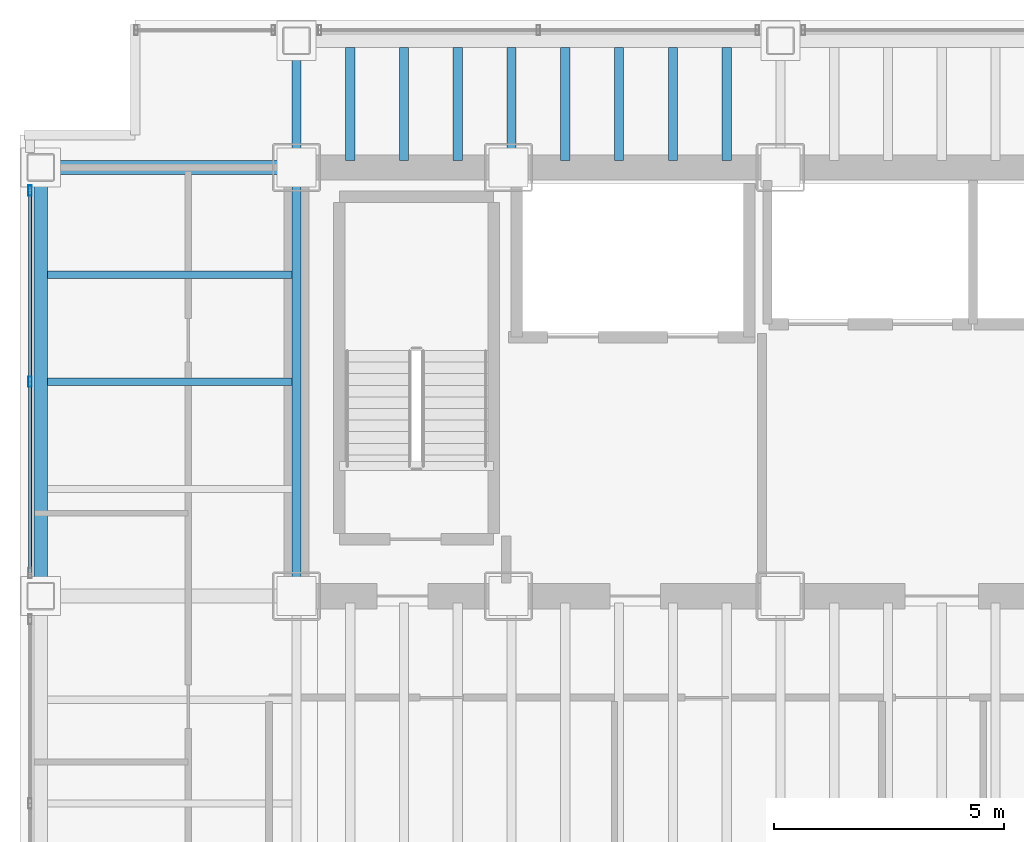
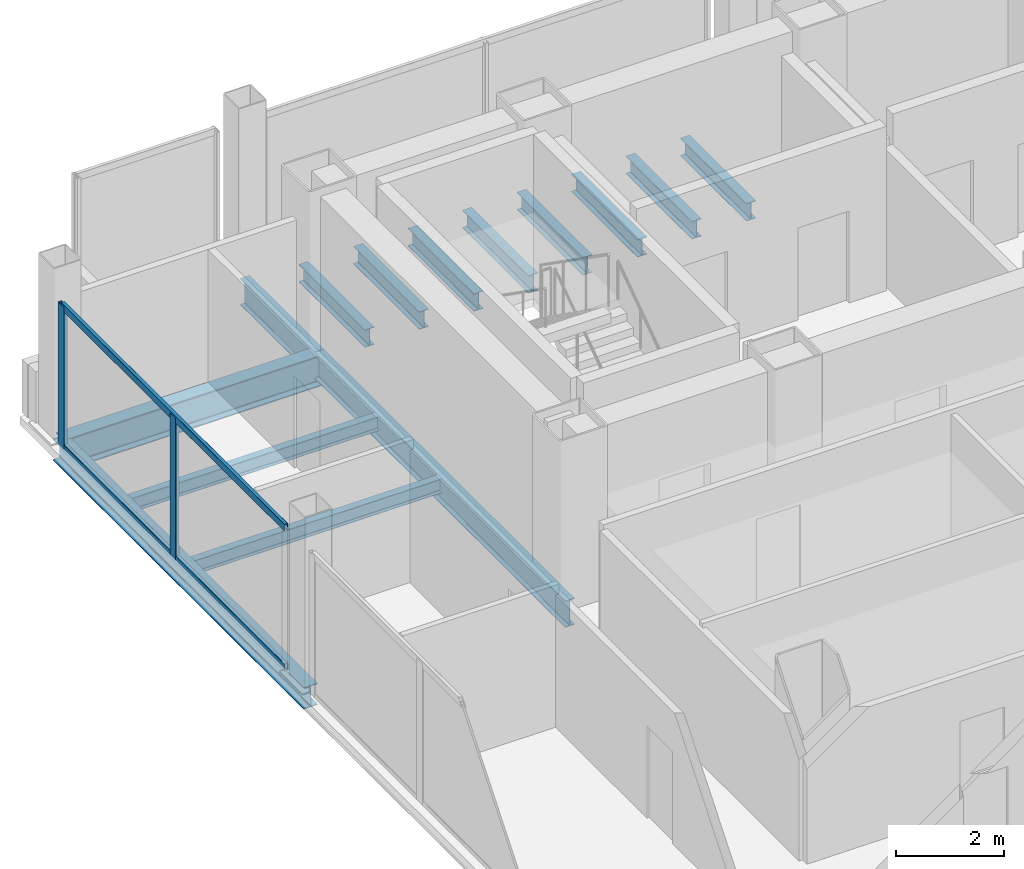
# One storey, part 7 of 22: 14 beams, 4 members, 1 element without a shape of its own.
"""IFC4 building model written with IfcOpenShell, lengths in metres."""

from ifc_helpers import new_model, si_unit, direction, frame, origin, origin_2d, place, context, subcontext, project, spatial, hollow_rectangle, i_section, extrude, material, material_profile, profile_set, type_object, element, aggregate, save


model = new_model("IFC4")

# Units and contexts
model_context = context("Model", 3, precision=1e-05, world=origin(), true_north=direction((0.0, 1.0)))
body_context = subcontext(model_context, "Body", "Model", "MODEL_VIEW")
ifc_project = project(units=[si_unit("LENGTHUNIT", "METRE"), si_unit("AREAUNIT", "SQUARE_METRE"), si_unit("VOLUMEUNIT", "CUBIC_METRE"), si_unit("PLANEANGLEUNIT", "RADIAN"), si_unit("MASSUNIT", "GRAM", prefix="KILO")], contexts=[model_context])

# Site, building, storey
site_placement = place(None, origin())
site = spatial("IfcSite", under=ifc_project, at=site_placement, CompositionType="ELEMENT")
building_placement = place(site_placement, origin())
building = spatial("IfcBuilding", under=site, at=building_placement, Name="Noeulbin Bourse Tower", CompositionType="ELEMENT")
storey_placement = place(building_placement, frame((0.0, 0.0, 85.0)))
storey = spatial("IfcBuildingStorey", under=building, at=storey_placement, Name="L21", CompositionType="ELEMENT", Elevation=85.0)

# Beams
ifc_material_1 = material(Name="Steel S355", Category="steel")
ifc_material_profile_1 = material_profile(ifc_material_1, i_section(OverallWidth=0.199951171875, OverallDepth=0.60009765625, WebThickness=0.010986328125, FlangeThickness=0.01708984375, FilletRadius=0.02197265625, at=origin_2d()), Name="H-600x200x11x17", Category="LoadBearing")
ifc_profile_set_1 = profile_set([ifc_material_profile_1], Name="Steel S355")
beam_type_1 = type_object("IfcBeamType", Name="BM-GRD-600", PredefinedType="USERDEFINED", material=ifc_profile_set_1)
beam_1_placement = place(storey_placement, frame((13.5, 29.0, -0.47998046875), z_axis=(0.0, 1.0, 0.0), x_axis=(-1.0, 0.0, 0.0)))
element("IfcBeam", 1, at=beam_1_placement, inside=storey, type_object=beam_type_1, Name="Tower Primary Girder NS L21-1.3", ObjectType="GIRDER", PredefinedType="USERDEFINED", context=body_context, shape_type="SweptSolid", body=[
    extrude(i_section(OverallWidth=0.199951171875, OverallDepth=0.60009765625, WebThickness=0.010986328125, FlangeThickness=0.01708984375, FilletRadius=0.02197265625, at=origin_2d()), origin(), (0.0, 0.0, 1.0), 9.300048828125),
])
beam_2_placement = place(storey_placement, frame((13.5, 38.300048828125, -0.47998046875), z_axis=(0.0, 1.0, 0.0), x_axis=(-1.0, 0.0, 0.0)))
element("IfcBeam", 2, at=beam_2_placement, inside=storey, type_object=beam_type_1, Name="Tower Primary Girder NS L21-1.4", ObjectType="GIRDER", PredefinedType="USERDEFINED", context=body_context, shape_type="SweptSolid", body=[
    extrude(i_section(OverallWidth=0.199951171875, OverallDepth=0.60009765625, WebThickness=0.010986328125, FlangeThickness=0.01708984375, FilletRadius=0.02197265625, at=origin_2d()), origin(), (0.0, 0.0, 1.0), 2.75),
])
ifc_material_profile_2 = material_profile(ifc_material_1, i_section(OverallWidth=0.300048828125, OverallDepth=0.699951171875, WebThickness=0.012939453125, FlangeThickness=0.02392578125, FilletRadius=0.02392578125, at=origin_2d()), Name="H-700x300x13x24", Category="LoadBearing")
ifc_profile_set_2 = profile_set([ifc_material_profile_2], Name="Steel S355")
beam_type_2 = type_object("IfcBeamType", Name="BM-GRD-700", PredefinedType="USERDEFINED", material=ifc_profile_set_2)
beam_3_placement = place(storey_placement, frame((7.949951171875, 38.300048828125, -0.530029296875), z_axis=(1.0, 0.0, 0.0), x_axis=(0.0, 1.0, 0.0)))
element("IfcBeam", 3, at=beam_3_placement, inside=storey, type_object=beam_type_2, Name="Tower Primary Girder EW L21-3.1", ObjectType="GIRDER", PredefinedType="USERDEFINED", context=body_context, shape_type="SweptSolid", body=[
    extrude(i_section(OverallWidth=0.300048828125, OverallDepth=0.699951171875, WebThickness=0.012939453125, FlangeThickness=0.02392578125, FilletRadius=0.02392578125, at=origin_2d()), origin(), (0.0, 0.0, 1.0), 5.550048828125),
])
ifc_material_profile_3 = material_profile(ifc_material_1, i_section(OverallWidth=0.159912109375, OverallDepth=0.320068359375, WebThickness=0.006591796875, FlangeThickness=0.010009765625, FilletRadius=0.012939453125, at=origin_2d()), Name="H-320x160x6.5x10", Category="LoadBearing")
ifc_profile_set_3 = profile_set([ifc_material_profile_3], Name="Steel S355")
beam_type_3 = type_object("IfcBeamType", Name="BM-JST-320", PredefinedType="JOIST", material=ifc_profile_set_3)
for number, where, z_axis, x_axis, name in (
    (4, (8.10009765625, 33.64990234375, -0.340087890625), (1.0, 0.0, 0.0), (0.0, 1.0, 0.0), "Wing Composite Joist L21-W74"),
    (5, (8.10009765625, 35.97509765625, -0.340087890625), (1.0, 0.0, 0.0), (0.0, 1.0, 0.0), "Wing Composite Joist L21-W75"),
):
    element("IfcBeam", number, at=place(storey_placement, frame(where, z_axis=z_axis, x_axis=x_axis)), inside=storey, type_object=beam_type_3, Name=name, PredefinedType="JOIST", context=body_context, shape_type="SweptSolid", body=[
        extrude(i_section(OverallWidth=0.159912109375, OverallDepth=0.320068359375, WebThickness=0.006591796875, FlangeThickness=0.010009765625, FilletRadius=0.012939453125, at=origin_2d()), origin(), (0.0, 0.0, 1.0), 5.2998046875),
    ])
ifc_material_profile_4 = material_profile(ifc_material_1, i_section(OverallWidth=0.199951171875, OverallDepth=0.39990234375, WebThickness=0.008056640625, FlangeThickness=0.012939453125, FilletRadius=0.01611328125, at=origin_2d()), Name="H-400x200x8x13", Category="LoadBearing")
ifc_profile_set_4 = profile_set([ifc_material_profile_4], Name="Steel S355")
beam_type_4 = type_object("IfcBeamType", Name="BM-SEC-400", PredefinedType="BEAM", material=ifc_profile_set_4)
for number, where, z_axis, x_axis, name in (
    (6, (14.666748046875, 38.449951171875, -0.3798828125), (0.0, 1.0, 0.0), (-1.0, 0.0, 0.0), "Tower Composite Joist L21-03"),
    (7, (15.833251953125, 38.449951171875, -0.3798828125), (0.0, 1.0, 0.0), (-1.0, 0.0, 0.0), "Tower Composite Joist L21-06"),
    (8, (17.0, 38.449951171875, -0.3798828125), (0.0, 1.0, 0.0), (-1.0, 0.0, 0.0), "Tower Composite Joist L21-09"),
    (9, (18.166748046875, 38.449951171875, -0.3798828125), (0.0, 1.0, 0.0), (-1.0, 0.0, 0.0), "Tower Composite Joist L21-12"),
    (10, (19.333251953125, 38.449951171875, -0.3798828125), (0.0, 1.0, 0.0), (-1.0, 0.0, 0.0), "Tower Composite Joist L21-15"),
    (11, (20.5, 38.449951171875, -0.3798828125), (0.0, 1.0, 0.0), (-1.0, 0.0, 0.0), "Tower Composite Joist L21-18"),
    (12, (21.666748046875, 38.449951171875, -0.3798828125), (0.0, 1.0, 0.0), (-1.0, 0.0, 0.0), "Tower Composite Joist L21-21"),
    (13, (22.833251953125, 38.449951171875, -0.3798828125), (0.0, 1.0, 0.0), (-1.0, 0.0, 0.0), "Tower Composite Joist L21-24"),
):
    element("IfcBeam", number, at=place(storey_placement, frame(where, z_axis=z_axis, x_axis=x_axis)), inside=storey, type_object=beam_type_4, Name=name, PredefinedType="BEAM", context=body_context, shape_type="SweptSolid", body=[
        extrude(i_section(OverallWidth=0.199951171875, OverallDepth=0.39990234375, WebThickness=0.008056640625, FlangeThickness=0.012939453125, FilletRadius=0.01611328125, at=origin_2d()), origin(), (0.0, 0.0, 1.0), 2.449951171875),
    ])
ifc_material_profile_5 = material_profile(ifc_material_1, i_section(OverallWidth=0.300048828125, OverallDepth=0.488037109375, WebThickness=0.010986328125, FlangeThickness=0.01806640625, FilletRadius=0.02197265625, at=origin_2d()), Name="H-488x300x11x18", Category="LoadBearing")
ifc_profile_set_5 = profile_set([ifc_material_profile_5], Name="Steel S355")
beam_type_5 = type_object("IfcBeamType", Name="BM-SPN-488", PredefinedType="SPANDREL", material=ifc_profile_set_5)
beam_4_placement = place(storey_placement, frame((7.949951171875, 29.0, -0.424072265625), z_axis=(0.0, 1.0, 0.0), x_axis=(-1.0, 0.0, 0.0)))
element("IfcBeam", 14, at=beam_4_placement, inside=storey, type_object=beam_type_5, Name="West Spandrel L21-2", PredefinedType="SPANDREL", context=body_context, shape_type="SweptSolid", body=[
    extrude(i_section(OverallWidth=0.300048828125, OverallDepth=0.488037109375, WebThickness=0.010986328125, FlangeThickness=0.01806640625, FilletRadius=0.02197265625, at=origin_2d()), origin(), (0.0, 0.0, 1.0), 9.300048828125),
])

# Curtain wall, members
ifc_material_2 = material(Name="Dark Solar-Control Double Glazing", Category="glass")
curtain_wall_type = type_object("IfcCurtainWallType", Name="CW-SYS-2", PredefinedType="NOTDEFINED", material=ifc_material_2)
curtain_wall_placement = place(storey_placement, origin())
curtain_wall = element("IfcCurtainWall", 15, at=curtain_wall_placement, inside=storey, type_object=curtain_wall_type, Name="Unitised Curtain Wall CW-L21-W-S3", PredefinedType="NOTDEFINED")
ifc_material_3 = material(Name="Anodised Aluminium 6063-T6", Category="aluminium")
ifc_material_profile_6 = material_profile(ifc_material_3, hollow_rectangle(XDim=0.074951171875, YDim=0.219970703125, WallThickness=0.0048828125, InnerFilletRadius=0.00244140625, OuterFilletRadius=0.0048828125, at=origin_2d()), Name="ALU-MULL-75x220x5", Category="LoadBearing")
ifc_profile_set_6 = profile_set([ifc_material_profile_6], Name="Anodised Aluminium 6063-T6")
member_type_1 = type_object("IfcMemberType", Name="CW-SYS-2-MUL", PredefinedType="MULLION", material=ifc_profile_set_6)
member_1_placement = place(storey_placement, frame((7.719970703125, 33.64990234375, -0.02001953125), z_axis=(0.0, 0.0, 1.0), x_axis=(1.0, 0.0, 0.0)))
member_1 = element("IfcMember", 16, at=member_1_placement, type_object=member_type_1, Name="Curtain Wall Mullion CW-L21-W-S3-M01", PredefinedType="MULLION", context=body_context, shape_type="SweptSolid", body=[
    extrude(hollow_rectangle(XDim=0.074951171875, YDim=0.219970703125, WallThickness=0.0048828125, InnerFilletRadius=0.00244140625, OuterFilletRadius=0.0048828125, at=origin_2d()), origin(), (0.0, 0.0, 1.0), 3.219970703125),
])
member_2_placement = place(storey_placement, frame((7.719970703125, 37.800048828125, -0.02001953125), z_axis=(0.0, 0.0, 1.0), x_axis=(1.0, 0.0, 0.0)))
member_2 = element("IfcMember", 17, at=member_2_placement, type_object=member_type_1, Name="Curtain Wall Mullion CW-L21-W-S3-M02", PredefinedType="MULLION", context=body_context, shape_type="SweptSolid", body=[
    extrude(hollow_rectangle(XDim=0.074951171875, YDim=0.219970703125, WallThickness=0.0048828125, InnerFilletRadius=0.00244140625, OuterFilletRadius=0.0048828125, at=origin_2d()), origin(), (0.0, 0.0, 1.0), 3.219970703125),
])
ifc_material_profile_7 = material_profile(ifc_material_3, hollow_rectangle(XDim=0.074951171875, YDim=0.159912109375, WallThickness=0.0048828125, InnerFilletRadius=0.00244140625, OuterFilletRadius=0.0048828125, at=origin_2d()), Name="ALU-TRAN-75x160x5", Category="LoadBearing")
ifc_profile_set_7 = profile_set([ifc_material_profile_7], Name="Anodised Aluminium 6063-T6")
member_type_2 = type_object("IfcMemberType", Name="CW-SYS-2-TRN", PredefinedType="USERDEFINED", material=ifc_profile_set_7)
member_3_placement = place(storey_placement, frame((7.719970703125, 29.510009765625, 0.010009765625), z_axis=(0.0, 1.0, 0.0), x_axis=(-1.0, 0.0, 0.0)))
member_3 = element("IfcMember", 18, at=member_3_placement, type_object=member_type_2, Name="Curtain Wall Transom CW-L21-W-S3-T00", ObjectType="TRANSOM", PredefinedType="USERDEFINED", context=body_context, shape_type="SweptSolid", body=[
    extrude(hollow_rectangle(XDim=0.074951171875, YDim=0.159912109375, WallThickness=0.0048828125, InnerFilletRadius=0.00244140625, OuterFilletRadius=0.0048828125, at=origin_2d()), origin(), (0.0, 0.0, 1.0), 8.280029296875),
])
member_4_placement = place(storey_placement, frame((7.719970703125, 29.510009765625, 3.169921875), z_axis=(0.0, 1.0, 0.0), x_axis=(-1.0, 0.0, 0.0)))
member_4 = element("IfcMember", 19, at=member_4_placement, type_object=member_type_2, Name="Curtain Wall Transom CW-L21-W-S3-T01", ObjectType="TRANSOM", PredefinedType="USERDEFINED", context=body_context, shape_type="SweptSolid", body=[
    extrude(hollow_rectangle(XDim=0.074951171875, YDim=0.159912109375, WallThickness=0.0048828125, InnerFilletRadius=0.00244140625, OuterFilletRadius=0.0048828125, at=origin_2d()), origin(), (0.0, 0.0, 1.0), 8.280029296875),
])
aggregate(curtain_wall, [member_1, member_2, member_3, member_4])

save(model, "model.ifc")
